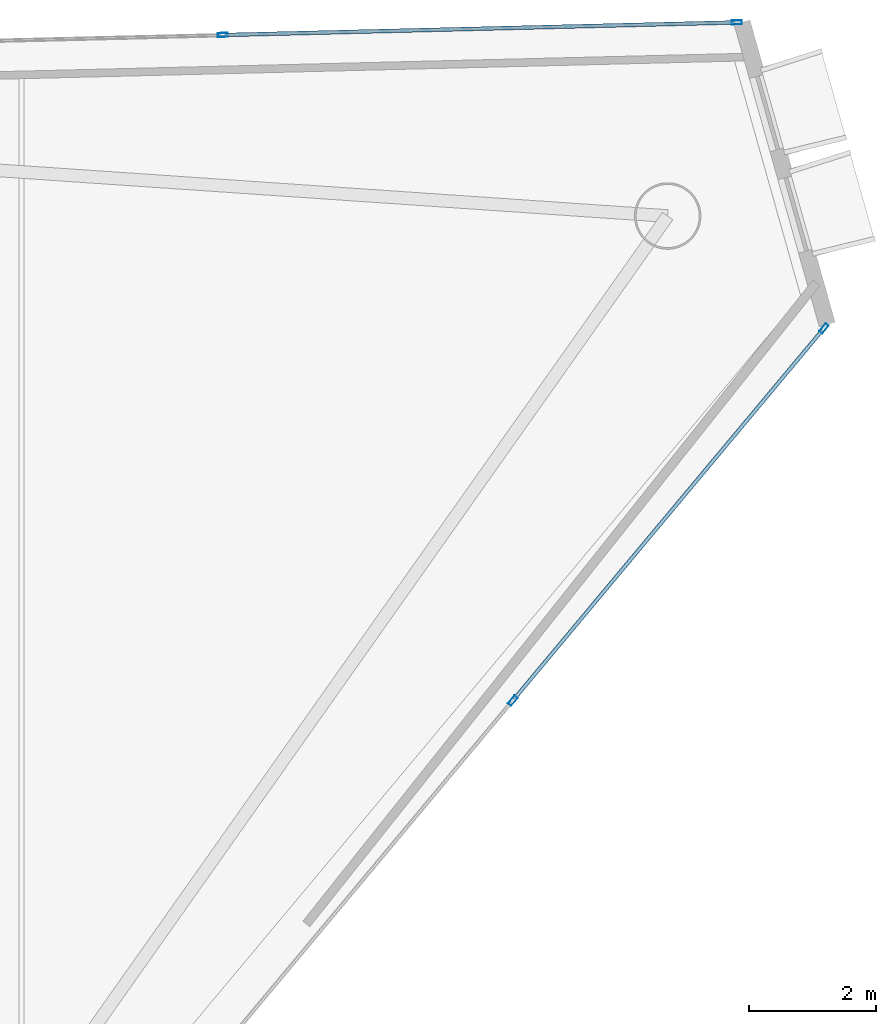
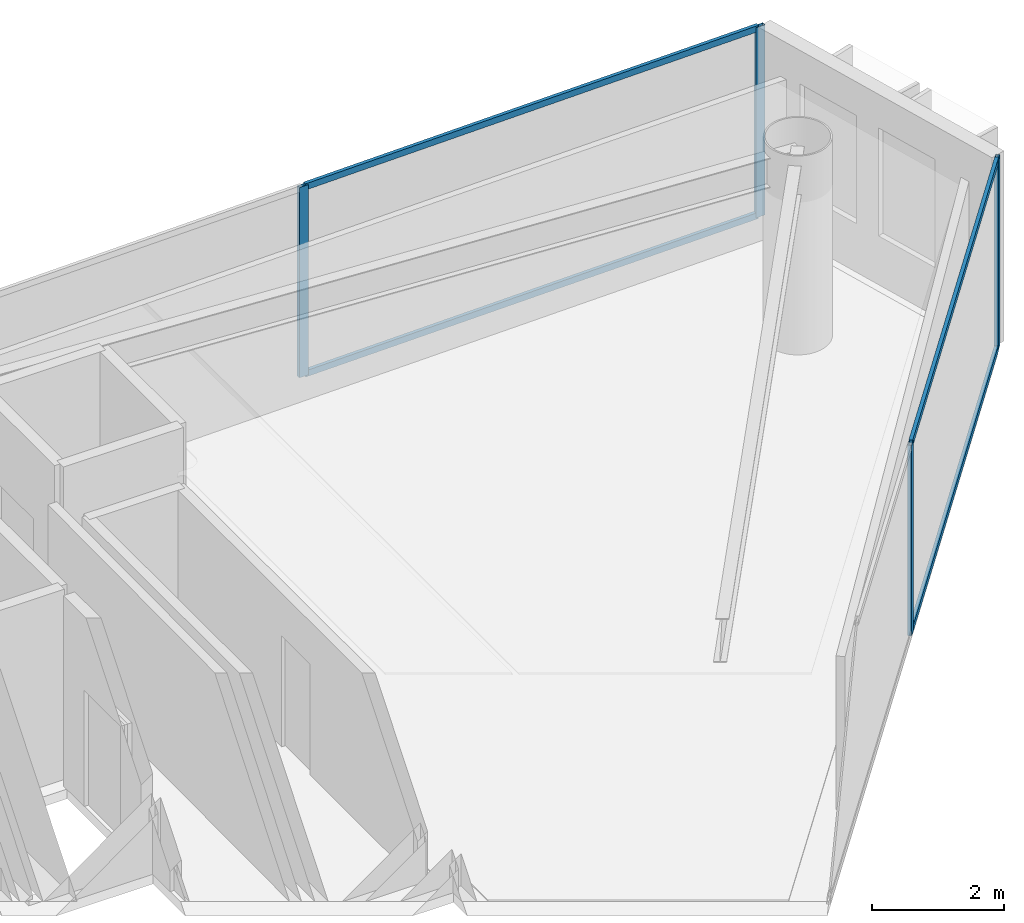
# One storey, part 13 of 20: 8 members, 2 elements without a shape of their own.
"""IFC4 building model written with IfcOpenShell, lengths in metres."""

from ifc_helpers import new_model, si_unit, direction, frame, origin, origin_2d, place, context, subcontext, project, spatial, hollow_rectangle, extrude, material, layer, layer_set, material_profile, profile_set, type_object, element, aggregate, save


model = new_model("IFC4")

# Units and contexts
model_context = context("Model", 3, precision=1e-05, world=origin(), true_north=direction((0.0, 1.0)))
body_context = subcontext(model_context, "Body", "Model", "MODEL_VIEW")
ifc_project = project(units=[si_unit("LENGTHUNIT", "METRE"), si_unit("AREAUNIT", "SQUARE_METRE"), si_unit("VOLUMEUNIT", "CUBIC_METRE"), si_unit("PLANEANGLEUNIT", "RADIAN"), si_unit("MASSUNIT", "GRAM", prefix="KILO")], contexts=[model_context])

# Site, building, storey
site_placement = place(None, origin())
site = spatial("IfcSite", under=ifc_project, at=site_placement, CompositionType="ELEMENT")
building_placement = place(site_placement, origin())
building = spatial("IfcBuilding", under=site, at=building_placement, Name="Qianvela Tower", CompositionType="ELEMENT")
storey_placement = place(building_placement, frame((0.0, 0.0, 257.5)))
storey = spatial("IfcBuildingStorey", under=building, at=storey_placement, Name="L66", CompositionType="ELEMENT", Elevation=257.5)

# Curtain wall, members
ifc_material_1 = material(Name="Anodised Architectural Aluminium and Low-E Glass", Category="aluminium")
ifc_layer = layer(ifc_material_1, 0.159912109375)
ifc_layer_set = layer_set([ifc_layer], Name="Anodised Architectural Aluminium and Low-E Glass")
curtain_wall_type = type_object("IfcCurtainWallType", Name="CW-COLIV-Z56", PredefinedType="USERDEFINED", material=ifc_layer_set)
curtain_wall_1_placement = place(storey_placement, origin())
curtain_wall_1 = element("IfcCurtainWall", 1, at=curtain_wall_1_placement, inside=storey, type_object=curtain_wall_type, Name="L66 CW-COLIV-Z56 Curtain Wall 02A", ObjectType="CURTAIN_WALL_SYSTEM", PredefinedType="USERDEFINED")
ifc_material_2 = material(Name="Anodised Architectural Aluminium 6063-T6", Category="aluminium")
ifc_material_profile_1 = material_profile(ifc_material_2, hollow_rectangle(XDim=0.06494140625, YDim=0.159912109375, WallThickness=0.0048828125, at=origin_2d()), Name="ALU-MULL-65x160")
ifc_profile_set_1 = profile_set([ifc_material_profile_1], Name="Anodised Architectural Aluminium 6063-T6")
member_type_1 = type_object("IfcMemberType", Name="CW-COLIV-Z56-MULL", PredefinedType="MULLION", material=ifc_profile_set_1)
member_1_placement = place(storey_placement, frame((56.423095703125, 37.658935546875, 0.0), z_axis=(0.0, 0.0, 1.0), x_axis=(0.02455772473, -0.999698413601, 0.0)))
member_1 = element("IfcMember", 2, at=member_1_placement, type_object=member_type_1, Name="CW-5 mullion 1", PredefinedType="MULLION", context=body_context, shape_type="SweptSolid", body=[
    extrude(hollow_rectangle(XDim=0.06494140625, YDim=0.159912109375, WallThickness=0.0048828125, at=origin_2d()), origin(), (0.0, 0.0, 1.0), 3.52001953125),
])
member_2_placement = place(storey_placement, frame((48.31787109375, 37.4599609375, 0.0), z_axis=(0.0, 0.0, 1.0), x_axis=(0.02455772473, -0.999698413601, 0.0)))
member_2 = element("IfcMember", 3, at=member_2_placement, type_object=member_type_1, Name="CW-5 mullion 2", PredefinedType="MULLION", context=body_context, shape_type="SweptSolid", body=[
    extrude(hollow_rectangle(XDim=0.06494140625, YDim=0.159912109375, WallThickness=0.0048828125, at=origin_2d()), origin(), (0.0, 0.0, 1.0), 3.52001953125),
])

curtain_wall_2_placement = place(storey_placement, origin())
curtain_wall_2 = element("IfcCurtainWall", 4, at=curtain_wall_2_placement, inside=storey, type_object=curtain_wall_type, Name="L66 CW-COLIV-Z56 Curtain Wall 06C", ObjectType="CURTAIN_WALL_SYSTEM", PredefinedType="USERDEFINED")
member_3_placement = place(storey_placement, frame((52.889892578125, 26.963623046875, 0.0), z_axis=(0.0, 0.0, 1.0), x_axis=(-0.767312456847, 0.64127341561, 0.0)))
member_3 = element("IfcMember", 5, at=member_3_placement, type_object=member_type_1, Name="CW-5 mullion 2", PredefinedType="MULLION", context=body_context, shape_type="SweptSolid", body=[
    extrude(hollow_rectangle(XDim=0.06494140625, YDim=0.159912109375, WallThickness=0.0048828125, at=origin_2d()), origin(), (0.0, 0.0, 1.0), 3.52001953125),
])
member_4_placement = place(storey_placement, frame((57.795166015625, 32.8330078125, 0.0), z_axis=(0.0, 0.0, 1.0), x_axis=(-0.767312456847, 0.64127341561, 0.0)))
member_4 = element("IfcMember", 6, at=member_4_placement, type_object=member_type_1, Name="CW-5 mullion 3", PredefinedType="MULLION", context=body_context, shape_type="SweptSolid", body=[
    extrude(hollow_rectangle(XDim=0.06494140625, YDim=0.159912109375, WallThickness=0.0048828125, at=origin_2d()), origin(), (0.0, 0.0, 1.0), 3.52001953125),
])

# Member
ifc_material_3 = material(Name="Anodised Architectural Aluminium 6063-T6", Category="aluminium")
ifc_material_profile_2 = material_profile(ifc_material_3, hollow_rectangle(XDim=0.06005859375, YDim=0.114990234375, WallThickness=0.00390625, at=origin_2d()), Name="ALU-TRAN-60x115")
ifc_profile_set_2 = profile_set([ifc_material_profile_2], Name="Anodised Architectural Aluminium 6063-T6")
member_type_2 = type_object("IfcMemberType", Name="CW-COLIV-Z56-TRAN", PredefinedType="USERDEFINED", material=ifc_profile_set_2)
member_5_placement = place(storey_placement, frame((56.390625, 37.658203125, 0.030029296875), z_axis=(-0.999698416234, -0.024557617549, 0.0), x_axis=(0.024557617549, -0.999698416234, 0.0)))
member_5 = element("IfcMember", 7, at=member_5_placement, type_object=member_type_2, Name="CW-5 transom 1.1", ObjectType="TRANSOM", PredefinedType="USERDEFINED", context=body_context, shape_type="SweptSolid", body=[
    extrude(hollow_rectangle(XDim=0.06005859375, YDim=0.114990234375, WallThickness=0.00390625, at=origin_2d()), origin(), (0.0, 0.0, 1.0), 8.042724609375),
])

member_6_placement = place(storey_placement, frame((56.390625, 37.658203125, 3.489990234375), z_axis=(-0.999698416234, -0.024557617549, 0.0), x_axis=(0.024557617549, -0.999698416234, 0.0)))
member_6 = element("IfcMember", 8, at=member_6_placement, type_object=member_type_2, Name="CW-5 transom 1.2", ObjectType="TRANSOM", PredefinedType="USERDEFINED", context=body_context, shape_type="SweptSolid", body=[
    extrude(hollow_rectangle(XDim=0.06005859375, YDim=0.114990234375, WallThickness=0.00390625, at=origin_2d()), origin(), (0.0, 0.0, 1.0), 8.042724609375),
])

aggregate(curtain_wall_1, [member_1, member_2, member_5, member_6])

member_7_placement = place(storey_placement, frame((52.91064453125, 26.988525390625, 0.030029296875), z_axis=(0.641282415022, 0.767304935592, 0.0), x_axis=(-0.767304935592, 0.641282415022, 0.0)))
member_7 = element("IfcMember", 9, at=member_7_placement, type_object=member_type_2, Name="CW-5 transom 2.1", ObjectType="TRANSOM", PredefinedType="USERDEFINED", context=body_context, shape_type="SweptSolid", body=[
    extrude(hollow_rectangle(XDim=0.06005859375, YDim=0.114990234375, WallThickness=0.00390625, at=origin_2d()), origin(), (0.0, 0.0, 1.0), 7.58447265625),
])

member_8_placement = place(storey_placement, frame((52.91064453125, 26.988525390625, 3.489990234375), z_axis=(0.641282415022, 0.767304935592, 0.0), x_axis=(-0.767304935592, 0.641282415022, 0.0)))
member_8 = element("IfcMember", 10, at=member_8_placement, type_object=member_type_2, Name="CW-5 transom 2.2", ObjectType="TRANSOM", PredefinedType="USERDEFINED", context=body_context, shape_type="SweptSolid", body=[
    extrude(hollow_rectangle(XDim=0.06005859375, YDim=0.114990234375, WallThickness=0.00390625, at=origin_2d()), origin(), (0.0, 0.0, 1.0), 7.58447265625),
])

aggregate(curtain_wall_2, [member_3, member_4, member_7, member_8])

save(model, "model.ifc")
